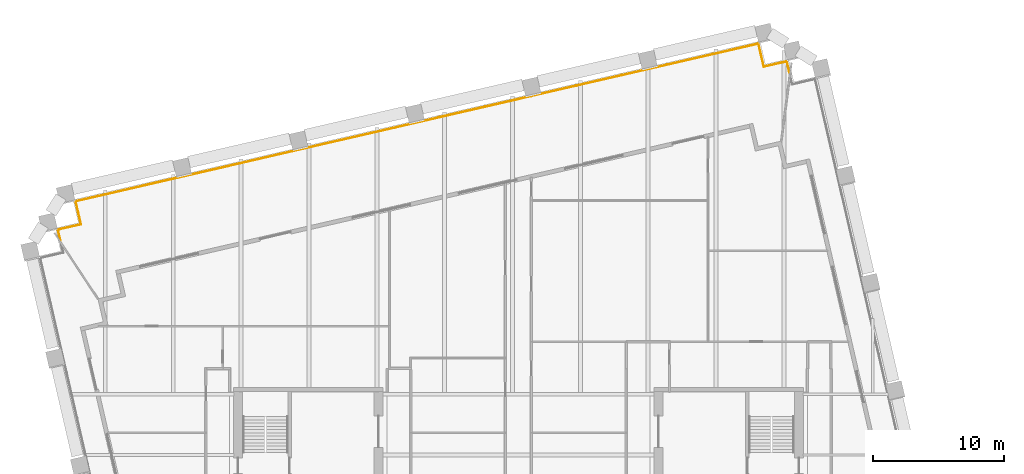
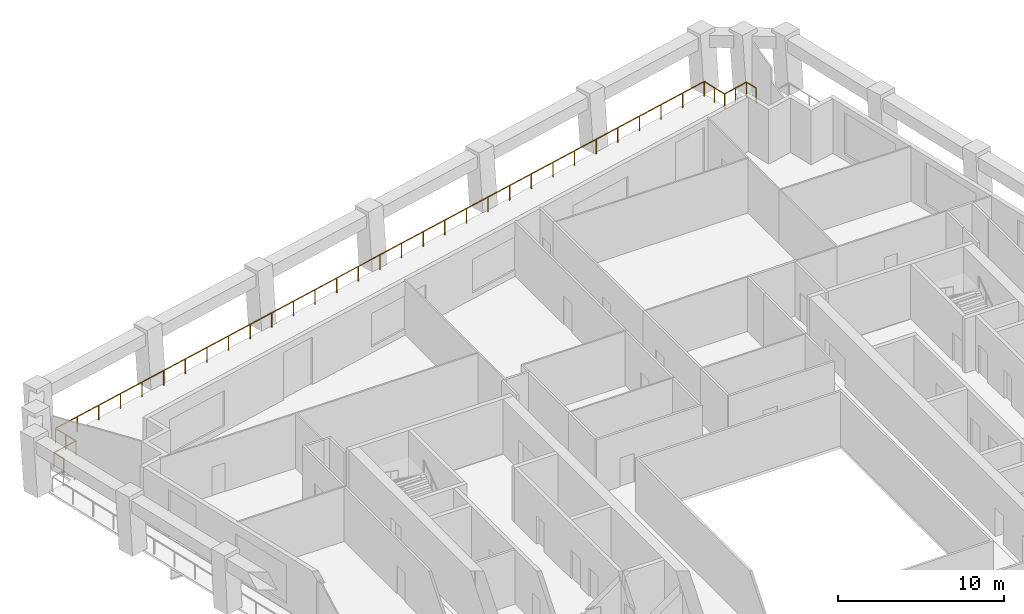
# One storey, part 11 of 11: 1 railing.
"""IFC4 building model written with IfcOpenShell, lengths in metres."""

from ifc_helpers import new_model, si_unit, direction, frame, origin, origin_2d, place, context, subcontext, project, spatial, circle, extrude, material, type_object, element, save


model = new_model("IFC4")

# Units and contexts
model_context = context("Model", 3, precision=1e-05, world=origin(), true_north=direction((0.0, 1.0)))
body_context = subcontext(model_context, "Body", "Model", "MODEL_VIEW")
ifc_project = project(units=[si_unit("LENGTHUNIT", "METRE"), si_unit("AREAUNIT", "SQUARE_METRE"), si_unit("VOLUMEUNIT", "CUBIC_METRE"), si_unit("PLANEANGLEUNIT", "RADIAN"), si_unit("MASSUNIT", "GRAM", prefix="KILO")], contexts=[model_context])

# Site, building, storey
site_placement = place(None, origin())
site = spatial("IfcSite", under=ifc_project, at=site_placement, CompositionType="ELEMENT")
building_placement = place(site_placement, origin())
building = spatial("IfcBuilding", under=site, at=building_placement, Name="Ogive Exchange Tower", CompositionType="ELEMENT")
storey_placement = place(building_placement, frame((0.0, 0.0, 213.60009765625)))
storey = spatial("IfcBuildingStorey", under=building, at=storey_placement, Name="L47", CompositionType="ELEMENT", Elevation=213.60009765625)

# Railing
ifc_material = material(Name="Stainless steel 316", Category="steel")
railing_type = type_object("IfcRailingType", Name="Guard 1100 stainless steel and glass", PredefinedType="GUARDRAIL", material=ifc_material)
railing_placement = place(storey_placement, frame((-34.87158203125, 36.939697265625, -0.050048828125)))
element("IfcRailing", 1, at=railing_placement, inside=storey, type_object=railing_type, Name="Loggia guard 3", PredefinedType="GUARDRAIL", context=body_context, shape_type="SweptSolid", body=[
    extrude(circle(Radius=0.02392578125, at=origin_2d()), frame((0.0, 0.0, 1.076171875), z_axis=(-0.224776174722, 0.974410422398, 0.0), x_axis=(-0.974410422398, -0.224776174722, 0.0)), (0.0, 0.0, 1.0), 0.85595703125),
    extrude(circle(Radius=0.02392578125, at=origin_2d()), frame((-0.1923828125, 0.833984375, 1.076171875), z_axis=(0.974350028141, 0.22503782496, 0.0), x_axis=(-0.22503782496, 0.974350028141, 0.0)), (0.0, 0.0, 1.0), 1.7998046875),
    extrude(circle(Radius=0.02392578125, at=origin_2d()), frame((1.561279296875, 1.239013671875, 1.076171875), z_axis=(-0.224879318197, 0.974386623598, 0.0), x_axis=(-0.974386623598, -0.224879318197, 0.0)), (0.0, 0.0, 1.0), 1.800048828125),
    extrude(circle(Radius=0.02392578125, at=origin_2d()), frame((1.156494140625, 2.992919921875, 1.076171875), z_axis=(0.974370988252, 0.224947054331, 0.0), x_axis=(-0.224947054331, 0.974370988252, 0.0)), (0.0, 0.0, 1.0), 53.360107421875),
    extrude(circle(Radius=0.02392578125, at=origin_2d()), frame((53.14892578125, 14.99609375, 1.076171875), z_axis=(0.224879318197, -0.974386623598, 0.0), x_axis=(0.974386623598, 0.224879318197, 0.0)), (0.0, 0.0, 1.0), 1.800048828125),
    extrude(circle(Radius=0.02392578125, at=origin_2d()), frame((53.5537109375, 13.2421875, 1.076171875), z_axis=(0.974356896201, 0.225008086135, 0.0), x_axis=(-0.225008086135, 0.974356896201, 0.0)), (0.0, 0.0, 1.0), 1.800048828125),
    extrude(circle(Radius=0.02392578125, at=origin_2d()), frame((55.3076171875, 13.647216796875, 1.076171875), z_axis=(0.224984458836, -0.974362352147, 0.0), x_axis=(0.974362352147, 0.224984458836, 0.0)), (0.0, 0.0, 1.0), 0.856201171875),
    extrude(circle(Radius=0.02099609375, at=origin_2d()), origin(), (0.0, 0.0, 1.0), 1.052001953125),
    extrude(circle(Radius=0.02099609375, at=origin_2d()), frame((-0.1923828125, 0.833984375, 0.0)), (0.0, 0.0, 1.0), 1.052001953125),
    extrude(circle(Radius=0.02099609375, at=origin_2d()), frame((1.561279296875, 1.239013671875, 0.0)), (0.0, 0.0, 1.0), 1.052001953125),
    extrude(circle(Radius=0.02099609375, at=origin_2d()), frame((1.35888671875, 2.115966796875, 0.0)), (0.0, 0.0, 1.0), 1.052001953125),
    extrude(circle(Radius=0.02099609375, at=origin_2d()), frame((1.156494140625, 2.992919921875, 0.0)), (0.0, 0.0, 1.0), 1.052001953125),
    extrude(circle(Radius=0.02099609375, at=origin_2d()), frame((2.8896484375, 3.39306640625, 0.0)), (0.0, 0.0, 1.0), 1.052001953125),
    extrude(circle(Radius=0.02099609375, at=origin_2d()), frame((4.62255859375, 3.793212890625, 0.0)), (0.0, 0.0, 1.0), 1.052001953125),
    extrude(circle(Radius=0.02099609375, at=origin_2d()), frame((6.355712890625, 4.193359375, 0.0)), (0.0, 0.0, 1.0), 1.052001953125),
    extrude(circle(Radius=0.02099609375, at=origin_2d()), frame((8.0888671875, 4.59326171875, 0.0)), (0.0, 0.0, 1.0), 1.052001953125),
    extrude(circle(Radius=0.02099609375, at=origin_2d()), frame((9.82177734375, 4.993408203125, 0.0)), (0.0, 0.0, 1.0), 1.052001953125),
    extrude(circle(Radius=0.02099609375, at=origin_2d()), frame((11.554931640625, 5.3935546875, 0.0)), (0.0, 0.0, 1.0), 1.052001953125),
    extrude(circle(Radius=0.02099609375, at=origin_2d()), frame((13.2880859375, 5.793701171875, 0.0)), (0.0, 0.0, 1.0), 1.052001953125),
    extrude(circle(Radius=0.02099609375, at=origin_2d()), frame((15.021240234375, 6.19384765625, 0.0)), (0.0, 0.0, 1.0), 1.052001953125),
    extrude(circle(Radius=0.02099609375, at=origin_2d()), frame((16.754150390625, 6.59375, 0.0)), (0.0, 0.0, 1.0), 1.052001953125),
    extrude(circle(Radius=0.02099609375, at=origin_2d()), frame((18.4873046875, 6.993896484375, 0.0)), (0.0, 0.0, 1.0), 1.052001953125),
    extrude(circle(Radius=0.02099609375, at=origin_2d()), frame((20.220458984375, 7.39404296875, 0.0)), (0.0, 0.0, 1.0), 1.052001953125),
    extrude(circle(Radius=0.02099609375, at=origin_2d()), frame((21.953369140625, 7.794189453125, 0.0)), (0.0, 0.0, 1.0), 1.052001953125),
    extrude(circle(Radius=0.02099609375, at=origin_2d()), frame((23.6865234375, 8.1943359375, 0.0)), (0.0, 0.0, 1.0), 1.052001953125),
    extrude(circle(Radius=0.02099609375, at=origin_2d()), frame((25.419677734375, 8.594482421875, 0.0)), (0.0, 0.0, 1.0), 1.052001953125),
    extrude(circle(Radius=0.02099609375, at=origin_2d()), frame((27.15283203125, 8.99462890625, 0.0)), (0.0, 0.0, 1.0), 1.052001953125),
    extrude(circle(Radius=0.02099609375, at=origin_2d()), frame((28.8857421875, 9.39453125, 0.0)), (0.0, 0.0, 1.0), 1.052001953125),
    extrude(circle(Radius=0.02099609375, at=origin_2d()), frame((30.618896484375, 9.794677734375, 0.0)), (0.0, 0.0, 1.0), 1.052001953125),
    extrude(circle(Radius=0.02099609375, at=origin_2d()), frame((32.35205078125, 10.19482421875, 0.0)), (0.0, 0.0, 1.0), 1.052001953125),
    extrude(circle(Radius=0.02099609375, at=origin_2d()), frame((34.0849609375, 10.594970703125, 0.0)), (0.0, 0.0, 1.0), 1.052001953125),
    extrude(circle(Radius=0.02099609375, at=origin_2d()), frame((35.818115234375, 10.9951171875, 0.0)), (0.0, 0.0, 1.0), 1.052001953125),
    extrude(circle(Radius=0.02099609375, at=origin_2d()), frame((37.55126953125, 11.39501953125, 0.0)), (0.0, 0.0, 1.0), 1.052001953125),
    extrude(circle(Radius=0.02099609375, at=origin_2d()), frame((39.2841796875, 11.795166015625, 0.0)), (0.0, 0.0, 1.0), 1.052001953125),
    extrude(circle(Radius=0.02099609375, at=origin_2d()), frame((41.017333984375, 12.1953125, 0.0)), (0.0, 0.0, 1.0), 1.052001953125),
    extrude(circle(Radius=0.02099609375, at=origin_2d()), frame((42.75048828125, 12.595458984375, 0.0)), (0.0, 0.0, 1.0), 1.052001953125),
    extrude(circle(Radius=0.02099609375, at=origin_2d()), frame((44.4833984375, 12.99560546875, 0.0)), (0.0, 0.0, 1.0), 1.052001953125),
    extrude(circle(Radius=0.02099609375, at=origin_2d()), frame((46.216552734375, 13.395751953125, 0.0)), (0.0, 0.0, 1.0), 1.052001953125),
    extrude(circle(Radius=0.02099609375, at=origin_2d()), frame((47.94970703125, 13.7958984375, 0.0)), (0.0, 0.0, 1.0), 1.052001953125),
    extrude(circle(Radius=0.02099609375, at=origin_2d()), frame((49.682861328125, 14.19580078125, 0.0)), (0.0, 0.0, 1.0), 1.052001953125),
    extrude(circle(Radius=0.02099609375, at=origin_2d()), frame((51.415771484375, 14.595947265625, 0.0)), (0.0, 0.0, 1.0), 1.052001953125),
    extrude(circle(Radius=0.02099609375, at=origin_2d()), frame((53.14892578125, 14.99609375, 0.0)), (0.0, 0.0, 1.0), 1.052001953125),
    extrude(circle(Radius=0.02099609375, at=origin_2d()), frame((53.351318359375, 14.119140625, 0.0)), (0.0, 0.0, 1.0), 1.052001953125),
    extrude(circle(Radius=0.02099609375, at=origin_2d()), frame((53.5537109375, 13.2421875, 0.0)), (0.0, 0.0, 1.0), 1.052001953125),
    extrude(circle(Radius=0.02099609375, at=origin_2d()), frame((54.4306640625, 13.44482421875, 0.0)), (0.0, 0.0, 1.0), 1.052001953125),
    extrude(circle(Radius=0.02099609375, at=origin_2d()), frame((55.3076171875, 13.647216796875, 0.0)), (0.0, 0.0, 1.0), 1.052001953125),
    extrude(circle(Radius=0.02099609375, at=origin_2d()), frame((55.500244140625, 12.81298828125, 0.0)), (0.0, 0.0, 1.0), 1.052001953125),
])

save(model, "model.ifc")
